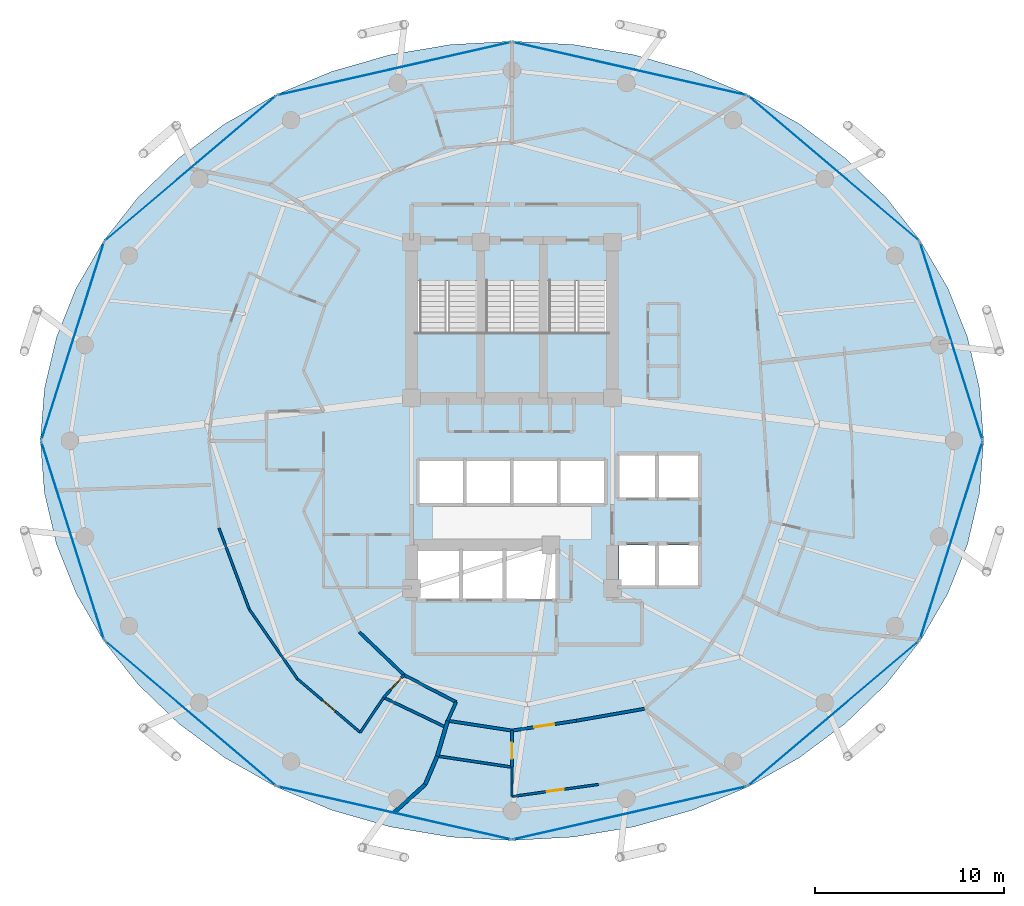
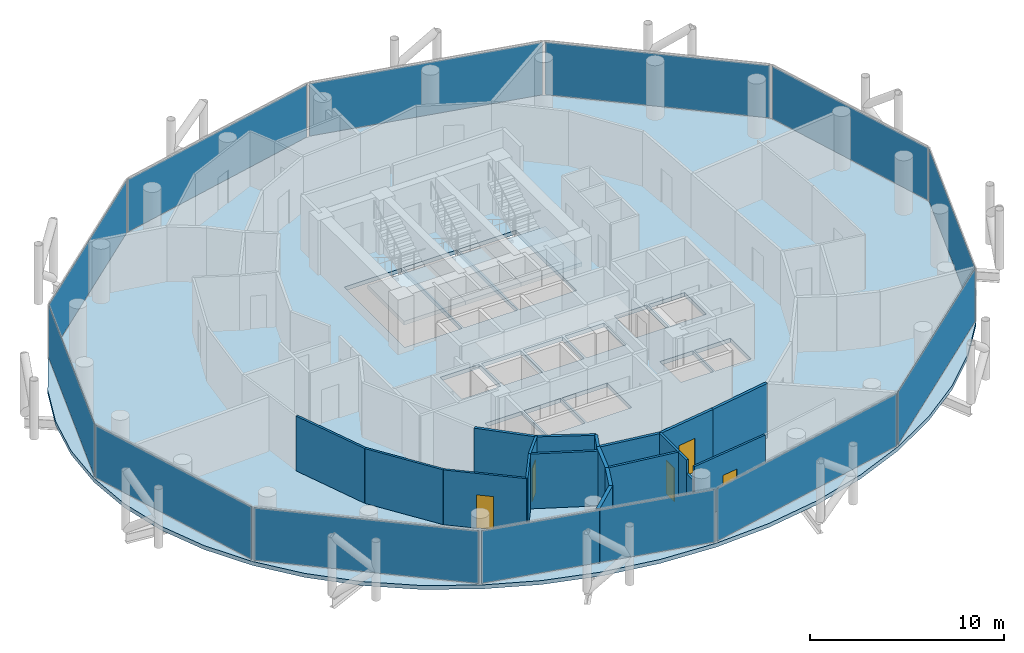
# One storey, part 21 of 26: 20 walls, 12 plates, 5 doors, 4 slabs, 5 openings, 15 elements without a shape of their own.
"""IFC4 building model written with IfcOpenShell, lengths in metres."""

import ifcopenshell
import ifcopenshell.guid

model = None  # the IFC model being written
_history = None  # IfcOwnerHistory: only IFC2X3 demands one
_inside = {}  # id of a spatial element -> (the spatial element, [elements in it])
_under = {}  # id of a project, library or spatial element -> (it, [spatial elements below it])
_declared = {}  # id of a project -> (the project, [libraries it declares])
_typed = {}  # id of a type object -> (the type object, [elements of that type])
_made_of = {}  # id of a material, layer set ... -> (it, [elements and type objects made of it])


def new_model(schema):
    """Start an empty IFC model of exactly this schema.

    Asked for "IFC4X3", IfcOpenShell would pick the latest addendum, in which some entities
    have other attributes; the version numbers below select the first issue.
    IFC2X3 requires an IfcOwnerHistory on every rooted entity: one is made here for all.
    """
    global model, _history
    if schema == "IFC4X3":
        model = ifcopenshell.file(schema_version=(4, 3, 0, 0))
    else:
        model = ifcopenshell.file(schema=schema)
    _inside.clear()
    _under.clear()
    _declared.clear()
    _typed.clear()
    _made_of.clear()
    _history = None
    if model.schema == "IFC2X3":
        org = make("IfcOrganization", Name="unknown")
        user = make(
            "IfcPersonAndOrganization",
            ThePerson=make("IfcPerson", FamilyName="unknown"),
            TheOrganization=org,
        )
        app = make(
            "IfcApplication",
            ApplicationDeveloper=org,
            Version="unknown",
            ApplicationFullName="unknown",
            ApplicationIdentifier="unknown",
        )
        _history = make(
            "IfcOwnerHistory",
            OwningUser=user,
            OwningApplication=app,
            ChangeAction="ADDED",
            CreationDate=0,
        )
    return model


def make(cls, **values):
    """One entity of the class cls with the attributes given. An attribute that is None is left unset."""
    return model.create_entity(
        cls, **{name: value for name, value in values.items() if value is not None}
    )


def rooted(cls, **values):
    """An entity with a GlobalId (a new one), such as an element, a storey or a relation."""
    return make(cls, GlobalId=ifcopenshell.guid.new(), OwnerHistory=_history, **values)


def si_unit(unit_type, name, prefix=None):
    """IfcSIUnit, for example si_unit("LENGTHUNIT", "METRE", prefix="MILLI")."""
    return make("IfcSIUnit", UnitType=unit_type, Prefix=prefix, Name=name)


def assignment(units):
    """IfcUnitAssignment: the units of a project."""
    return None if units is None else make("IfcUnitAssignment", Units=units)


def point(xyz):
    """IfcCartesianPoint."""
    return None if xyz is None else make("IfcCartesianPoint", Coordinates=xyz)


def direction(xyz):
    """IfcDirection."""
    return None if xyz is None else make("IfcDirection", DirectionRatios=xyz)


def frame(location, z_axis=None, x_axis=None):
    """IfcAxis2Placement3D, a coordinate frame: its origin and axes. An axis left out is left unset."""
    return make(
        "IfcAxis2Placement3D",
        Location=point(location),
        Axis=direction(z_axis),
        RefDirection=direction(x_axis),
    )


def frame_2d(location, x_axis=None):
    """IfcAxis2Placement2D, a coordinate frame in the plane: its origin and x axis."""
    return make(
        "IfcAxis2Placement2D", Location=point(location), RefDirection=direction(x_axis)
    )


def origin():
    """The frame at (0, 0, 0) with its axes left unset."""
    return frame((0.0, 0.0, 0.0))


def origin_2d():
    """The frame at (0, 0) in the plane with its x axis left unset."""
    return frame_2d((0.0, 0.0))


def place(relative_to, where):
    """IfcLocalPlacement: puts the frame where relative to a parent placement (None: the world)."""
    return make(
        "IfcLocalPlacement", PlacementRelTo=relative_to, RelativePlacement=where
    )


def context(
    kind, dimensions, precision=None, world=None, true_north=None, identifier=None
):
    """IfcGeometricRepresentationContext, for example the 3D "Model" context."""
    return make(
        "IfcGeometricRepresentationContext",
        ContextIdentifier=identifier,
        ContextType=kind,
        CoordinateSpaceDimension=dimensions,
        Precision=precision,
        WorldCoordinateSystem=world,
        TrueNorth=true_north,
    )


def subcontext(parent, identifier, kind, view, scale=None):
    """IfcGeometricRepresentationSubContext, for example "Body" below "Model"."""
    return make(
        "IfcGeometricRepresentationSubContext",
        ContextIdentifier=identifier,
        ContextType=kind,
        ParentContext=parent,
        TargetScale=scale,
        TargetView=view,
    )


def project(units=None, contexts=None):
    """IfcProject with its units and contexts."""
    return rooted(
        "IfcProject",
        Name="project",
        RepresentationContexts=contexts,
        UnitsInContext=assignment(units),
    )


def spatial(cls, under=None, at=None, **own):
    """A site, building, storey or space (cls), placed at a placement, below another one or the project."""
    s = rooted(cls, ObjectPlacement=at, **own)
    if under is not None:
        _under.setdefault(under.id(), (under, []))[1].append(s)
    return s


def polyline(points):
    """IfcPolyline through the points."""
    return make("IfcPolyline", Points=[point(p) for p in points])


def profile(cls, at=None, kind="AREA", **sizes):
    """A parametric profile (cls). Its sizes go by their IFC names, for example OverallWidth=200.0."""
    return make(cls, ProfileType=kind, Position=at, **sizes)


def rectangle(**sizes):
    """IfcRectangleProfileDef."""
    return profile("IfcRectangleProfileDef", **sizes)


def outline(outer, holes=None, kind="AREA"):
    """IfcArbitraryClosedProfileDef: a profile drawn as a closed curve; with holes, ...WithVoids."""
    if holes is None:
        return make("IfcArbitraryClosedProfileDef", ProfileType=kind, OuterCurve=outer)
    return make(
        "IfcArbitraryProfileDefWithVoids",
        ProfileType=kind,
        OuterCurve=outer,
        InnerCurves=holes,
    )


def extrude(swept, where, along, depth):
    """IfcExtrudedAreaSolid: the profile swept, set in the frame where, extruded along a direction by depth."""
    return make(
        "IfcExtrudedAreaSolid",
        SweptArea=swept,
        Position=where,
        ExtrudedDirection=direction(along),
        Depth=depth,
    )


def shape(context_of_items, identifier, shape_type, items):
    """IfcShapeRepresentation: the items that make up one representation, for example the "Body"."""
    return make(
        "IfcShapeRepresentation",
        ContextOfItems=context_of_items,
        RepresentationIdentifier=identifier,
        RepresentationType=shape_type,
        Items=items,
    )


def material(Name=None, Category=None):
    """IfcMaterial."""
    return make("IfcMaterial", Name=Name, Category=Category)


def layer(
    of_material, thickness, ventilated=None, Name=None, Category=None, Priority=None
):
    """IfcMaterialLayer: one layer of a wall or slab, of a material (None: an air gap)."""
    return make(
        "IfcMaterialLayer",
        Material=of_material,
        LayerThickness=thickness,
        IsVentilated=ventilated,
        Name=Name,
        Category=Category,
        Priority=Priority,
    )


def layer_set(layers, Name=None):
    """IfcMaterialLayerSet."""
    return make("IfcMaterialLayerSet", MaterialLayers=layers, LayerSetName=Name)


def made_of(thing, what):
    """Note that an element or type object is made of a material, layer set ...; save() writes the relation."""
    if what is not None:
        _made_of.setdefault(what.id(), (what, []))[1].append(thing)
    return thing


def type_object(cls, material=None, **own):
    """A type object (cls), such as IfcWallType, which elements share."""
    return made_of(rooted(cls, **own), material)


def element(
    cls,
    number,
    at=None,
    inside=None,
    cuts=None,
    type_object=None,
    material=None,
    context=None,
    identifier="Body",
    shape_type=None,
    held_by="IfcProductDefinitionShape",
    body=None,
    shapes=None,
    **own,
):
    """One element of the class cls, such as IfcWall. Its Tag is "e" and its number.

    at: its placement. inside: the storey or other place that contains it. cuts: it is an
    opening in that element (IfcRelVoidsElement). A single representation is given by context,
    identifier, shape_type and body (its items); several are given by shapes. held_by: the class
    of the entity that holds the representations. save() writes the other relations.
    """
    e = rooted(cls, Tag="e%d" % number, ObjectPlacement=at, **own)
    if body is not None:
        shapes = [shape(context, identifier, shape_type, body)]
    if shapes is not None:
        e.Representation = make(held_by, Representations=shapes)
    if inside is not None:
        _inside.setdefault(inside.id(), (inside, []))[1].append(e)
    if cuts is not None:
        rooted(
            "IfcRelVoidsElement", RelatingBuildingElement=cuts, RelatedOpeningElement=e
        )
    if type_object is not None:
        _typed.setdefault(type_object.id(), (type_object, []))[1].append(e)
    return made_of(e, material)


def fill(opening, filler):
    """IfcRelFillsElement: the door or window that sits in an opening."""
    return rooted(
        "IfcRelFillsElement",
        RelatingOpeningElement=opening,
        RelatedBuildingElement=filler,
    )


def aggregate(whole, parts):
    """IfcRelAggregates: a whole, such as a stair, and the parts it consists of."""
    return rooted("IfcRelAggregates", RelatingObject=whole, RelatedObjects=parts)


def save(model, path):
    """Write the relations noted so far, then the file.

    IfcRelAggregates (storeys below a building ...), IfcRelContainedInSpatialStructure (elements
    in a storey), IfcRelDefinesByType, IfcRelAssociatesMaterial and IfcRelDeclares: one each for
    every whole, place, type object, material and project.
    """
    for whole, parts in _under.values():
        aggregate(whole, parts)
    for where, things in _inside.values():
        rooted(
            "IfcRelContainedInSpatialStructure",
            RelatedElements=things,
            RelatingStructure=where,
        )
    for kind, things in _typed.values():
        rooted("IfcRelDefinesByType", RelatedObjects=things, RelatingType=kind)
    for what, things in _made_of.values():
        rooted("IfcRelAssociatesMaterial", RelatedObjects=things, RelatingMaterial=what)
    for by, libraries in _declared.values():
        rooted("IfcRelDeclares", RelatingContext=by, RelatedDefinitions=libraries)
    model.write(path)


model = new_model("IFC4")

# Units and contexts
model_context = context("Model", 3, precision=1e-05, world=origin(), true_north=direction((0.0, 1.0)))
body_context = subcontext(model_context, "Body", "Model", "MODEL_VIEW")
ifc_project = project(units=[si_unit("LENGTHUNIT", "METRE"), si_unit("AREAUNIT", "SQUARE_METRE"), si_unit("VOLUMEUNIT", "CUBIC_METRE"), si_unit("PLANEANGLEUNIT", "RADIAN"), si_unit("MASSUNIT", "GRAM", prefix="KILO")], contexts=[model_context])

# Site, building, storey
site_placement = place(None, origin())
site = spatial("IfcSite", under=ifc_project, at=site_placement, CompositionType="ELEMENT")
building_placement = place(site_placement, origin())
building = spatial("IfcBuilding", under=site, at=building_placement, Name="Nuhasar Tower", CompositionType="ELEMENT")
storey_placement = place(building_placement, frame((0.0, 0.0, 129.35009765625)))
storey = spatial("IfcBuildingStorey", under=building, at=storey_placement, Name="L30", CompositionType="ELEMENT", Elevation=129.35009765625)

# Curtain wall, plate
ifc_material_1 = material(Name="Aluminium 6063-T6", Category="aluminium")
ifc_layer_1 = layer(ifc_material_1, 0.199951171875)
ifc_layer_set_1 = layer_set([ifc_layer_1], Name="Aluminium 6063-T6")
curtain_wall_type = type_object("IfcCurtainWallType", Name="CW-Z2-HTL", PredefinedType="NOTDEFINED", material=ifc_layer_set_1)
curtain_wall_1_placement = place(storey_placement, origin())
curtain_wall_1 = element("IfcCurtainWall", 1, at=curtain_wall_1_placement, inside=storey, type_object=curtain_wall_type, Name="L30 Unitised Curtain Wall 01", PredefinedType="NOTDEFINED")
ifc_material_2 = material(Name="Glass Double Low-E", Category="glass")
ifc_layer_2 = layer(ifc_material_2, 0.028076171875)
ifc_layer_set_2 = layer_set([ifc_layer_2], Name="Glass Double Low-E")
plate_type = type_object("IfcPlateType", Name="CW-PANEL-GLZ", PredefinedType="CURTAIN_PANEL", material=ifc_layer_set_2)
plate_1_placement = place(storey_placement, frame((62.194580078125, 32.06494140625, 0.06982421875), z_axis=(0.0, 0.0, 1.0), x_axis=(-0.301603667577, 0.953433389233, 0.0)))
plate_1 = element("IfcPlate", 2, at=plate_1_placement, type_object=plate_type, Name="CW-Z2 panel 1.1", PredefinedType="CURTAIN_PANEL", context=body_context, shape_type="SweptSolid", body=[
    extrude(rectangle(XDim=10.904296875, YDim=0.028076171875, at=origin_2d()), origin(), (0.0, 0.0, 1.0), 3.31005859375),
])
aggregate(curtain_wall_1, [plate_1])

curtain_wall_2_placement = place(storey_placement, origin())
curtain_wall_2 = element("IfcCurtainWall", 3, at=curtain_wall_2_placement, inside=storey, type_object=curtain_wall_type, Name="L30 Unitised Curtain Wall 02", PredefinedType="NOTDEFINED")
plate_2_placement = place(storey_placement, frame((55.9794921875, 41.18408203125, 0.06982421875), z_axis=(0.0, 0.0, 1.0), x_axis=(-0.763020370292, 0.646374438324, 0.0)))
plate_2 = element("IfcPlate", 4, at=plate_2_placement, type_object=plate_type, Name="CW-Z2 panel 1.1", PredefinedType="CURTAIN_PANEL", context=body_context, shape_type="SweptSolid", body=[
    extrude(rectangle(XDim=11.784912109375, YDim=0.028076171875, at=origin_2d()), origin(), (0.0, 0.0, 1.0), 3.31005859375),
])
aggregate(curtain_wall_2, [plate_2])

curtain_wall_3_placement = place(storey_placement, origin())
curtain_wall_3 = element("IfcCurtainWall", 5, at=curtain_wall_3_placement, inside=storey, type_object=curtain_wall_type, Name="L30 Unitised Curtain Wall 03", PredefinedType="NOTDEFINED")
plate_3_placement = place(storey_placement, frame((45.215087890625, 46.448974609375, 0.06982421875), z_axis=(0.0, 0.0, 1.0), x_axis=(-0.975183694221, 0.22139729566, 0.0)))
plate_3 = element("IfcPlate", 6, at=plate_3_placement, type_object=plate_type, Name="CW-Z2 panel 1.1", PredefinedType="CURTAIN_PANEL", context=body_context, shape_type="SweptSolid", body=[
    extrude(rectangle(XDim=12.606201171875, YDim=0.028076171875, at=origin_2d()), origin(), (0.0, 0.0, 1.0), 3.31005859375),
])
aggregate(curtain_wall_3, [plate_3])

curtain_wall_4_placement = place(storey_placement, origin())
curtain_wall_4 = element("IfcCurtainWall", 7, at=curtain_wall_4_placement, inside=storey, type_object=curtain_wall_type, Name="L30 Unitised Curtain Wall 04", PredefinedType="NOTDEFINED")
plate_4_placement = place(storey_placement, frame((32.784912109375, 46.448974609375, 0.06982421875), z_axis=(0.0, 0.0, 1.0), x_axis=(-0.975183694221, -0.22139729566, 0.0)))
plate_4 = element("IfcPlate", 8, at=plate_4_placement, type_object=plate_type, Name="CW-Z2 panel 1.1", PredefinedType="CURTAIN_PANEL", context=body_context, shape_type="SweptSolid", body=[
    extrude(rectangle(XDim=12.606201171875, YDim=0.028076171875, at=origin_2d()), origin(), (0.0, 0.0, 1.0), 3.31005859375),
])
aggregate(curtain_wall_4, [plate_4])

curtain_wall_5_placement = place(storey_placement, origin())
curtain_wall_5 = element("IfcCurtainWall", 9, at=curtain_wall_5_placement, inside=storey, type_object=curtain_wall_type, Name="L30 Unitised Curtain Wall 05", PredefinedType="NOTDEFINED")
plate_5_placement = place(storey_placement, frame((22.0205078125, 41.18408203125, 0.06982421875), z_axis=(0.0, 0.0, 1.0), x_axis=(-0.763020370292, -0.646374438324, 0.0)))
plate_5 = element("IfcPlate", 10, at=plate_5_placement, type_object=plate_type, Name="CW-Z2 panel 1.1", PredefinedType="CURTAIN_PANEL", context=body_context, shape_type="SweptSolid", body=[
    extrude(rectangle(XDim=11.784912109375, YDim=0.028076171875, at=origin_2d()), origin(), (0.0, 0.0, 1.0), 3.31005859375),
])
aggregate(curtain_wall_5, [plate_5])

curtain_wall_6_placement = place(storey_placement, origin())
curtain_wall_6 = element("IfcCurtainWall", 11, at=curtain_wall_6_placement, inside=storey, type_object=curtain_wall_type, Name="L30 Unitised Curtain Wall 06", PredefinedType="NOTDEFINED")
plate_6_placement = place(storey_placement, frame((15.805419921875, 32.06494140625, 0.06982421875), z_axis=(0.0, 0.0, 1.0), x_axis=(-0.301603667577, -0.953433389233, 0.0)))
plate_6 = element("IfcPlate", 12, at=plate_6_placement, type_object=plate_type, Name="CW-Z2 panel 1.1", PredefinedType="CURTAIN_PANEL", context=body_context, shape_type="SweptSolid", body=[
    extrude(rectangle(XDim=10.904296875, YDim=0.028076171875, at=origin_2d()), origin(), (0.0, 0.0, 1.0), 3.31005859375),
])
aggregate(curtain_wall_6, [plate_6])

curtain_wall_7_placement = place(storey_placement, origin())
curtain_wall_7 = element("IfcCurtainWall", 13, at=curtain_wall_7_placement, inside=storey, type_object=curtain_wall_type, Name="L30 Unitised Curtain Wall 07", PredefinedType="NOTDEFINED")
plate_7_placement = place(storey_placement, frame((15.805419921875, 21.534912109375, 0.06982421875), z_axis=(0.0, 0.0, 1.0), x_axis=(0.301603667577, -0.953433389233, 0.0)))
plate_7 = element("IfcPlate", 14, at=plate_7_placement, type_object=plate_type, Name="CW-Z2 panel 1.1", PredefinedType="CURTAIN_PANEL", context=body_context, shape_type="SweptSolid", body=[
    extrude(rectangle(XDim=10.904296875, YDim=0.028076171875, at=origin_2d()), origin(), (0.0, 0.0, 1.0), 3.31005859375),
])
aggregate(curtain_wall_7, [plate_7])

curtain_wall_8_placement = place(storey_placement, origin())
curtain_wall_8 = element("IfcCurtainWall", 15, at=curtain_wall_8_placement, inside=storey, type_object=curtain_wall_type, Name="L30 Unitised Curtain Wall 08", PredefinedType="NOTDEFINED")
plate_8_placement = place(storey_placement, frame((22.0205078125, 12.416015625, 0.06982421875), z_axis=(0.0, 0.0, 1.0), x_axis=(0.763020370292, -0.646374438324, 0.0)))
plate_8 = element("IfcPlate", 16, at=plate_8_placement, type_object=plate_type, Name="CW-Z2 panel 1.1", PredefinedType="CURTAIN_PANEL", context=body_context, shape_type="SweptSolid", body=[
    extrude(rectangle(XDim=11.784912109375, YDim=0.028076171875, at=origin_2d()), origin(), (0.0, 0.0, 1.0), 3.31005859375),
])
aggregate(curtain_wall_8, [plate_8])

curtain_wall_9_placement = place(storey_placement, origin())
curtain_wall_9 = element("IfcCurtainWall", 17, at=curtain_wall_9_placement, inside=storey, type_object=curtain_wall_type, Name="L30 Unitised Curtain Wall 09", PredefinedType="NOTDEFINED")
plate_9_placement = place(storey_placement, frame((32.784912109375, 7.15087890625, 0.06982421875), z_axis=(0.0, 0.0, 1.0), x_axis=(0.975183694221, -0.22139729566, 0.0)))
plate_9 = element("IfcPlate", 18, at=plate_9_placement, type_object=plate_type, Name="CW-Z2 panel 1.1", PredefinedType="CURTAIN_PANEL", context=body_context, shape_type="SweptSolid", body=[
    extrude(rectangle(XDim=12.606201171875, YDim=0.028076171875, at=origin_2d()), origin(), (0.0, 0.0, 1.0), 3.31005859375),
])
aggregate(curtain_wall_9, [plate_9])

curtain_wall_10_placement = place(storey_placement, origin())
curtain_wall_10 = element("IfcCurtainWall", 19, at=curtain_wall_10_placement, inside=storey, type_object=curtain_wall_type, Name="L30 Unitised Curtain Wall 10", PredefinedType="NOTDEFINED")
plate_10_placement = place(storey_placement, frame((45.215087890625, 7.15087890625, 0.06982421875), z_axis=(0.0, 0.0, 1.0), x_axis=(0.975183694221, 0.22139729566, 0.0)))
plate_10 = element("IfcPlate", 20, at=plate_10_placement, type_object=plate_type, Name="CW-Z2 panel 1.1", PredefinedType="CURTAIN_PANEL", context=body_context, shape_type="SweptSolid", body=[
    extrude(rectangle(XDim=12.606201171875, YDim=0.028076171875, at=origin_2d()), origin(), (0.0, 0.0, 1.0), 3.31005859375),
])
aggregate(curtain_wall_10, [plate_10])

curtain_wall_11_placement = place(storey_placement, origin())
curtain_wall_11 = element("IfcCurtainWall", 21, at=curtain_wall_11_placement, inside=storey, type_object=curtain_wall_type, Name="L30 Unitised Curtain Wall 11", PredefinedType="NOTDEFINED")
plate_11_placement = place(storey_placement, frame((55.9794921875, 12.416015625, 0.06982421875), z_axis=(0.0, 0.0, 1.0), x_axis=(0.763020370292, 0.646374438324, 0.0)))
plate_11 = element("IfcPlate", 22, at=plate_11_placement, type_object=plate_type, Name="CW-Z2 panel 1.1", PredefinedType="CURTAIN_PANEL", context=body_context, shape_type="SweptSolid", body=[
    extrude(rectangle(XDim=11.784912109375, YDim=0.028076171875, at=origin_2d()), origin(), (0.0, 0.0, 1.0), 3.31005859375),
])
aggregate(curtain_wall_11, [plate_11])

curtain_wall_12_placement = place(storey_placement, origin())
curtain_wall_12 = element("IfcCurtainWall", 23, at=curtain_wall_12_placement, inside=storey, type_object=curtain_wall_type, Name="L30 Unitised Curtain Wall 12", PredefinedType="NOTDEFINED")
plate_12_placement = place(storey_placement, frame((62.194580078125, 21.534912109375, 0.06982421875), z_axis=(0.0, 0.0, 1.0), x_axis=(0.301603667577, 0.953433389233, 0.0)))
plate_12 = element("IfcPlate", 24, at=plate_12_placement, type_object=plate_type, Name="CW-Z2 panel 1.1", PredefinedType="CURTAIN_PANEL", context=body_context, shape_type="SweptSolid", body=[
    extrude(rectangle(XDim=10.904296875, YDim=0.028076171875, at=origin_2d()), origin(), (0.0, 0.0, 1.0), 3.31005859375),
])
aggregate(curtain_wall_12, [plate_12])

# Stair, slab
ifc_material_3 = material(Name="Concrete C45/55", Category="concrete")
stair_type_1 = type_object("IfcStairType", Name="STR-ST-01-2F-22R-1682", PredefinedType="HALF_TURN_STAIR", material=ifc_material_3)
stair_1_placement = place(storey_placement, origin())
stair_1 = element("IfcStair", 25, at=stair_1_placement, inside=storey, type_object=stair_type_1, Name="L30 Exit Stair ST-01", PredefinedType="HALF_TURN_STAIR")
ifc_layer_3 = layer(ifc_material_3, 0.239990234375)
ifc_layer_set_3 = layer_set([ifc_layer_3], Name="Concrete C45/55")
slab_type_1 = type_object("IfcSlabType", Name="SLB-STAIR-LND-240", PredefinedType="LANDING", material=ifc_layer_set_3)
slab_1_placement = place(storey_placement, frame((0.0, 0.0, 1.60986328125)))
slab_1 = element("IfcSlab", 26, at=slab_1_placement, type_object=slab_type_1, Name="ST-01 landing 1", PredefinedType="LANDING", context=body_context, shape_type="SweptSolid", body=[
    extrude(outline(polyline([(33.699951171875, 28.75), (37.35009765625, 28.75), (37.35009765625, 32.52001953125), (33.699951171875, 32.52001953125), (33.699951171875, 28.75)])), origin(), (0.0, 0.0, 1.0), 0.239990234375),
])
aggregate(stair_1, [slab_1])

stair_type_2 = type_object("IfcStairType", Name="STR-ST-03-2F-22R-1682", PredefinedType="HALF_TURN_STAIR", material=ifc_material_3)
stair_2_placement = place(storey_placement, origin())
stair_2 = element("IfcStair", 27, at=stair_2_placement, inside=storey, type_object=stair_type_2, Name="L30 Exit Stair ST-03", PredefinedType="HALF_TURN_STAIR")
slab_2_placement = place(storey_placement, frame((0.0, 0.0, 1.60986328125)))
slab_2 = element("IfcSlab", 28, at=slab_2_placement, type_object=slab_type_1, Name="ST-03 landing 1", PredefinedType="LANDING", context=body_context, shape_type="SweptSolid", body=[
    extrude(outline(polyline([(37.35009765625, 28.75), (40.64990234375, 28.75), (40.64990234375, 32.52001953125), (37.35009765625, 32.52001953125), (37.35009765625, 28.75)])), origin(), (0.0, 0.0, 1.0), 0.239990234375),
])
aggregate(stair_2, [slab_2])

stair_type_3 = type_object("IfcStairType", Name="STR-ST-02-2F-22R-1682", PredefinedType="HALF_TURN_STAIR", material=ifc_material_3)
stair_3_placement = place(storey_placement, origin())
stair_3 = element("IfcStair", 29, at=stair_3_placement, inside=storey, type_object=stair_type_3, Name="L30 Exit Stair ST-02", PredefinedType="HALF_TURN_STAIR")
slab_3_placement = place(storey_placement, frame((0.0, 0.0, 1.60986328125)))
slab_3 = element("IfcSlab", 30, at=slab_3_placement, type_object=slab_type_1, Name="ST-02 landing 1", PredefinedType="LANDING", context=body_context, shape_type="SweptSolid", body=[
    extrude(outline(polyline([(40.64990234375, 28.75), (44.300048828125, 28.75), (44.300048828125, 32.52001953125), (40.64990234375, 32.52001953125), (40.64990234375, 28.75)])), origin(), (0.0, 0.0, 1.0), 0.239990234375),
])
aggregate(stair_3, [slab_3])

# Slab
ifc_layer_4 = layer(ifc_material_3, 0.25)
ifc_layer_set_4 = layer_set([ifc_layer_4], Name="Concrete C45/55")
slab_type_2 = type_object("IfcSlabType", Name="SLB-Z1B-250", PredefinedType="FLOOR", material=ifc_layer_set_4)
slab_4_placement = place(storey_placement, frame((0.0, 0.0, -0.25)))
element("IfcSlab", 31, at=slab_4_placement, inside=storey, type_object=slab_type_2, Name="L30 Structural Slab", PredefinedType="FLOOR", context=body_context, shape_type="SweptSolid", body=[
    extrude(outline(polyline([(63.89990234375, 26.800048828125), (63.68701171875, 29.553955078125), (63.052001953125, 32.260986328125), (62.0048828125, 34.875), (60.56396484375, 37.35009765625), (58.75390625, 39.64501953125), (56.60693359375, 41.719970703125), (54.157958984375, 43.5400390625), (51.449951171875, 45.072998046875), (48.529052734375, 46.2939453125), (45.445068359375, 47.180908203125), (42.25, 47.718994140625), (39.0, 47.89990234375), (35.75, 47.718994140625), (32.554931640625, 47.180908203125), (29.470947265625, 46.2939453125), (26.550048828125, 45.072998046875), (23.842041015625, 43.5400390625), (21.39306640625, 41.719970703125), (19.24609375, 39.64501953125), (17.43603515625, 37.35009765625), (15.9951171875, 34.875), (14.947998046875, 32.260986328125), (14.31298828125, 29.553955078125), (14.10009765625, 26.800048828125), (14.31298828125, 24.0458984375), (14.947998046875, 21.339111328125), (15.9951171875, 18.72509765625), (17.43603515625, 16.25), (19.24609375, 13.955078125), (21.39306640625, 11.8798828125), (23.842041015625, 10.06005859375), (26.550048828125, 8.527099609375), (29.470947265625, 7.305908203125), (32.554931640625, 6.4189453125), (35.75, 5.881103515625), (39.0, 5.699951171875), (42.25, 5.881103515625), (45.445068359375, 6.4189453125), (48.529052734375, 7.305908203125), (51.449951171875, 8.527099609375), (54.157958984375, 10.06005859375), (56.60693359375, 11.8798828125), (58.75390625, 13.955078125), (60.56396484375, 16.25), (62.0048828125, 18.72509765625), (63.052001953125, 21.339111328125), (63.68701171875, 24.0458984375), (63.89990234375, 26.800048828125)]), holes=[polyline([(33.8798828125, 35.25), (37.300048828125, 35.25), (37.300048828125, 29.0), (33.8798828125, 29.0), (33.8798828125, 35.25)]), polyline([(37.39990234375, 35.25), (40.60009765625, 35.25), (40.60009765625, 29.0), (37.39990234375, 29.0), (37.39990234375, 35.25)]), polyline([(40.699951171875, 35.25), (44.1201171875, 35.25), (44.1201171875, 29.0), (40.699951171875, 29.0), (40.699951171875, 35.25)]), polyline([(44.64990234375, 26.050048828125), (46.60009765625, 26.050048828125), (46.60009765625, 23.800048828125), (44.64990234375, 23.800048828125), (44.64990234375, 26.050048828125)]), polyline([(46.699951171875, 26.050048828125), (48.85009765625, 26.050048828125), (48.85009765625, 23.800048828125), (46.699951171875, 23.800048828125), (46.699951171875, 26.050048828125)]), polyline([(44.64990234375, 21.300048828125), (46.60009765625, 21.300048828125), (46.60009765625, 19.14990234375), (44.64990234375, 19.14990234375), (44.64990234375, 21.300048828125)]), polyline([(46.699951171875, 21.300048828125), (48.85009765625, 21.300048828125), (48.85009765625, 19.14990234375), (46.699951171875, 19.14990234375), (46.699951171875, 21.300048828125)]), polyline([(34.10009765625, 25.75), (36.43994140625, 25.75), (36.43994140625, 23.5), (34.10009765625, 23.5), (34.10009765625, 25.75)]), polyline([(36.580078125, 25.75), (38.919921875, 25.75), (38.919921875, 23.5), (36.580078125, 23.5), (36.580078125, 25.75)]), polyline([(39.06005859375, 25.75), (41.39990234375, 25.75), (41.39990234375, 23.5), (39.06005859375, 23.5), (39.06005859375, 25.75)]), polyline([(41.5400390625, 25.75), (43.8798828125, 25.75), (43.8798828125, 23.5), (41.5400390625, 23.5), (41.5400390625, 25.75)]), polyline([(34.050048828125, 21.0), (36.25, 21.0), (36.25, 18.449951171875), (34.050048828125, 18.449951171875), (34.050048828125, 21.0)]), polyline([(36.35009765625, 21.0), (38.550048828125, 21.0), (38.550048828125, 18.449951171875), (36.35009765625, 18.449951171875), (36.35009765625, 21.0)]), polyline([(38.64990234375, 21.0), (41.320068359375, 21.0), (41.320068359375, 18.449951171875), (38.64990234375, 18.449951171875), (38.64990234375, 21.0)])]), origin(), (0.0, 0.0, 1.0), 0.25),
])

# Wall
ifc_material_4 = material(Name="Gypsum Board", Category="gypsum")
ifc_layer_5 = layer(ifc_material_4, 0.159912109375)
ifc_layer_set_5 = layer_set([ifc_layer_5], Name="Gypsum Board")
wall_type_1 = type_object("IfcWallType", Name="WL-CORR-160", PredefinedType="PARTITIONING", material=ifc_layer_set_5)
wall_1_placement = place(storey_placement, frame((35.60400390625, 12.02099609375, 0.0), z_axis=(0.0, 0.0, 1.0), x_axis=(0.988435686542, -0.151640672544, 0.0)))
element("IfcWall", 32, at=wall_1_placement, inside=storey, type_object=wall_type_1, Name="L30 Interior Partition CORR-34", PredefinedType="PARTITIONING", context=body_context, shape_type="SweptSolid", body=[
    extrude(rectangle(XDim=3.435791015625, YDim=0.159912109375, at=frame_2d((1.7177734375, 0.0))), origin(), (0.0, 0.0, 1.0), 3.449951171875),
])

# Wall, opening, door
wall_2_placement = place(storey_placement, frame((42.39599609375, 12.02099609375, 0.0), z_axis=(0.0, 0.0, 1.0), x_axis=(-0.988435686542, -0.151640672544, 0.0)))
wall_2 = element("IfcWall", 33, at=wall_2_placement, inside=storey, type_object=wall_type_1, Name="L30 Interior Partition CORR-36", PredefinedType="PARTITIONING", context=body_context, shape_type="SweptSolid", body=[
    extrude(rectangle(XDim=3.435791015625, YDim=0.159912109375, at=frame_2d((1.7177734375, 0.0))), origin(), (0.0, 0.0, 1.0), 3.449951171875),
])
opening_1_placement = place(wall_2_placement, frame((1.193115234375, 0.0, 0.0)))
opening_1 = element("IfcOpeningElement", 34, at=opening_1_placement, cuts=wall_2, Name="Opening DU-01", PredefinedType="OPENING", context=body_context, shape_type="SweptSolid", body=[
    extrude(rectangle(XDim=1.050048828125, YDim=2.14990234375, at=frame_2d((0.52490234375, 1.074951171875))), frame((0.0, 0.08984375, 0.0), z_axis=(0.0, -1.0, 0.0), x_axis=(1.0, 0.0, 0.0)), (0.0, 0.0, 1.0), 0.179931640625),
])
ifc_material_5 = material(Name="Timber Oak", Category="wood")
door_type_1 = type_object("IfcDoorType", Name="DR-SUITE-FD60-1050", OperationType="NOTDEFINED", PredefinedType="DOOR", material=ifc_material_5)
door_1_placement = place(opening_1_placement, origin())
door_1 = element("IfcDoor", 35, at=door_1_placement, inside=storey, type_object=door_type_1, Name="L30 Red Sea Suite 01 Entrance Door", OperationType="SINGLE_SWING_LEFT", OverallHeight=2.14990234375, OverallWidth=1.050048828125, PredefinedType="DOOR", context=body_context, shape_type="SweptSolid", body=[
    extrude(rectangle(XDim=1.050048828125, YDim=2.14990234375, at=frame_2d((0.52490234375, 1.074951171875))), frame((0.0, 0.02490234375, 0.0), z_axis=(0.0, -1.0, 0.0), x_axis=(1.0, 0.0, 0.0)), (0.0, 0.0, 1.0), 0.050048828125),
])
fill(opening_1, door_1)

# Walls
wall_3_placement = place(storey_placement, frame((42.39599609375, 12.02099609375, 0.0), z_axis=(0.0, 0.0, 1.0), x_axis=(0.984952845055, 0.172823299988, 0.0)))
element("IfcWall", 36, at=wall_3_placement, inside=storey, type_object=wall_type_1, Name="L30 Interior Partition CORR-38", PredefinedType="PARTITIONING", context=body_context, shape_type="SweptSolid", body=[
    extrude(rectangle(XDim=3.6630859375, YDim=0.159912109375, at=frame_2d((1.83154296875, 0.0))), origin(), (0.0, 0.0, 1.0), 3.449951171875),
])
wall_4_placement = place(storey_placement, frame((36.049072265625, 13.007080078125, 0.0), z_axis=(0.0, 0.0, 1.0), x_axis=(-0.411387183407, -0.911460687758, 0.0)))
element("IfcWall", 37, at=wall_4_placement, inside=storey, type_object=wall_type_1, Name="L30 Interior Partition HRAD-34-IN", PredefinedType="PARTITIONING", context=body_context, shape_type="SweptSolid", body=[
    extrude(rectangle(XDim=1.081787109375, YDim=0.159912109375, at=frame_2d((0.541015625, 0.0))), origin(), (0.0, 0.0, 1.0), 3.449951171875),
])
wall_5_placement = place(storey_placement, frame((30.93896484375, 16.702880859375, 0.0), z_axis=(0.0, 0.0, 1.0), x_axis=(0.72090897908, -0.693029756851, 0.0)))
element("IfcWall", 38, at=wall_5_placement, inside=storey, type_object=wall_type_1, Name="L30 Interior Partition HWEST-CORE-S2-30", PredefinedType="PARTITIONING", context=body_context, shape_type="SweptSolid", body=[
    extrude(rectangle(XDim=3.275146484375, YDim=0.159912109375, at=frame_2d((1.6376953125, 0.0))), origin(), (0.0, 0.0, 1.0), 3.449951171875),
])
wall_6_placement = place(storey_placement, frame((33.300048828125, 14.43310546875, 0.0), z_axis=(0.0, 0.0, 1.0), x_axis=(0.887674575788, -0.460471331898, 0.0)))
element("IfcWall", 39, at=wall_6_placement, inside=storey, type_object=wall_type_1, Name="L30 Interior Partition HWEST-CORE-S2-32", PredefinedType="PARTITIONING", context=body_context, shape_type="SweptSolid", body=[
    extrude(rectangle(XDim=3.096923828125, YDim=0.159912109375, at=frame_2d((1.54833984375, 0.0))), origin(), (0.0, 0.0, 1.0), 3.449951171875),
])
ifc_layer_6 = layer(ifc_material_4, 0.125)
ifc_layer_set_6 = layer_set([ifc_layer_6], Name="Gypsum Board")
wall_type_2 = type_object("IfcWallType", Name="WL-PART-125", PredefinedType="PARTITIONING", material=ifc_layer_set_6)
wall_7_placement = place(storey_placement, frame((39.0, 9.570068359375, 0.0), z_axis=(0.0, 0.0, 1.0), x_axis=(0.0, -1.0, 0.0)))
element("IfcWall", 40, at=wall_7_placement, inside=storey, type_object=wall_type_2, Name="L30 Interior Partition HBS-01", PredefinedType="PARTITIONING", context=body_context, shape_type="SweptSolid", body=[
    extrude(rectangle(XDim=0.880126953125, YDim=0.125, at=frame_2d((0.43994140625, 0.0))), origin(), (0.0, 0.0, 1.0), 3.449951171875),
])
wall_8_placement = place(storey_placement, frame((39.0, 8.68994140625, 0.0), z_axis=(0.0, 0.0, 1.0), x_axis=(0.0, -1.0, 0.0)))
element("IfcWall", 41, at=wall_8_placement, inside=storey, type_object=wall_type_2, Name="L30 Interior Partition HBS-01", PredefinedType="PARTITIONING", context=body_context, shape_type="SweptSolid", body=[
    extrude(rectangle(XDim=0.669921875, YDim=0.125, at=frame_2d((0.3349609375, 0.0))), origin(), (0.0, 0.0, 1.0), 2.58984375),
])

# Wall, opening, door
wall_9_placement = place(storey_placement, frame((43.5810546875, 8.659912109375, 0.0), z_axis=(0.0, 0.0, 1.0), x_axis=(-0.990384892578, -0.138339309499, 0.0)))
wall_9 = element("IfcWall", 42, at=wall_9_placement, inside=storey, type_object=wall_type_2, Name="L30 Interior Partition HSAL-01-36", PredefinedType="PARTITIONING", context=body_context, shape_type="SweptSolid", body=[
    extrude(rectangle(XDim=4.62548828125, YDim=0.125, at=frame_2d((2.312744140625, 0.0))), origin(), (0.0, 0.0, 1.0), 3.449951171875),
])
opening_2_placement = place(wall_9_placement, frame((1.863037109375, 0.0, 0.0)))
opening_2 = element("IfcOpeningElement", 43, at=opening_2_placement, cuts=wall_9, Name="Opening DR-01", PredefinedType="OPENING", context=body_context, shape_type="SweptSolid", body=[
    extrude(rectangle(XDim=0.89990234375, YDim=2.10009765625, at=frame_2d((0.449951171875, 1.050048828125))), frame((0.0, 0.072509765625, 0.0), z_axis=(0.0, -1.0, 0.0), x_axis=(1.0, 0.0, 0.0)), (0.0, 0.0, 1.0), 0.14501953125),
])
door_type_2 = type_object("IfcDoorType", Name="DR-ROOM-900", OperationType="NOTDEFINED", PredefinedType="DOOR", material=ifc_material_5)
door_2_placement = place(opening_2_placement, origin())
door_2 = element("IfcDoor", 44, at=door_2_placement, inside=storey, type_object=door_type_2, Name="L30 Red Sea Suite 01 Bedroom Door", OperationType="SINGLE_SWING_LEFT", OverallHeight=2.10009765625, OverallWidth=0.89990234375, PredefinedType="DOOR", context=body_context, shape_type="SweptSolid", body=[
    extrude(rectangle(XDim=0.89990234375, YDim=2.10009765625, at=frame_2d((0.449951171875, 1.050048828125))), frame((0.0, 0.02490234375, 0.0), z_axis=(0.0, -1.0, 0.0), x_axis=(1.0, 0.0, 0.0)), (0.0, 0.0, 1.0), 0.050048828125),
])
fill(opening_2, door_2)

# Walls
wall_10_placement = place(storey_placement, frame((32.22509765625, 13.2470703125, 0.0), z_axis=(0.0, 0.0, 1.0), x_axis=(-0.556297850913, -0.830982972791, 0.0)))
element("IfcWall", 45, at=wall_10_placement, inside=storey, type_object=wall_type_2, Name="L30 Interior Partition HWS2-N", PredefinedType="PARTITIONING", context=body_context, shape_type="SweptSolid", body=[
    extrude(rectangle(XDim=2.22021484375, YDim=0.125, at=frame_2d((1.110107421875, 0.0))), origin(), (0.0, 0.0, 1.0), 3.449951171875),
])
wall_11_placement = place(storey_placement, frame((23.52587890625, 22.197998046875, 0.0), z_axis=(0.0, 0.0, 1.0), x_axis=(0.349603098964, -0.936897899024, 0.0)))
element("IfcWall", 46, at=wall_11_placement, inside=storey, type_object=wall_type_2, Name="L30 Interior Partition HWS2-ARC-26", PredefinedType="PARTITIONING", context=body_context, shape_type="SweptSolid", body=[
    extrude(rectangle(XDim=4.576904296875, YDim=0.125, at=frame_2d((2.28857421875, 0.0))), origin(), (0.0, 0.0, 1.0), 3.449951171875),
])
wall_12_placement = place(storey_placement, frame((25.1259765625, 17.909912109375, 0.0), z_axis=(0.0, 0.0, 1.0), x_axis=(0.568778830708, -0.822490511641, 0.0)))
element("IfcWall", 47, at=wall_12_placement, inside=storey, type_object=wall_type_2, Name="L30 Interior Partition HWS2-ARC-28", PredefinedType="PARTITIONING", context=body_context, shape_type="SweptSolid", body=[
    extrude(rectangle(XDim=4.4765625, YDim=0.125, at=frame_2d((2.23828125, 0.0))), origin(), (0.0, 0.0, 1.0), 3.449951171875),
])

# Wall, opening, door
wall_13_placement = place(storey_placement, frame((27.672119140625, 14.22802734375, 0.0), z_axis=(0.0, 0.0, 1.0), x_axis=(0.76128931679, -0.648412350393, 0.0)))
wall_13 = element("IfcWall", 48, at=wall_13_placement, inside=storey, type_object=wall_type_2, Name="L30 Interior Partition HWS2-ARC-30", PredefinedType="PARTITIONING", context=body_context, shape_type="SweptSolid", body=[
    extrude(rectangle(XDim=4.358154296875, YDim=0.125, at=frame_2d((2.17919921875, 0.0))), origin(), (0.0, 0.0, 1.0), 3.449951171875),
])
opening_3_placement = place(wall_13_placement, frame((1.72900390625, 0.0, 0.0)))
opening_3 = element("IfcOpeningElement", 49, at=opening_3_placement, cuts=wall_13, Name="Opening DR-01", PredefinedType="OPENING", context=body_context, shape_type="SweptSolid", body=[
    extrude(rectangle(XDim=0.89990234375, YDim=2.10009765625, at=frame_2d((0.449951171875, 1.050048828125))), frame((0.0, 0.072509765625, 0.0), z_axis=(0.0, -1.0, 0.0), x_axis=(1.0, 0.0, 0.0)), (0.0, 0.0, 1.0), 0.14501953125),
])
door_3_placement = place(opening_3_placement, origin())
door_3 = element("IfcDoor", 50, at=door_3_placement, inside=storey, type_object=door_type_2, Name="L30 South-West Presidential Suite Bedroom Door", OperationType="SINGLE_SWING_LEFT", OverallHeight=2.10009765625, OverallWidth=0.89990234375, PredefinedType="DOOR", context=body_context, shape_type="SweptSolid", body=[
    extrude(rectangle(XDim=0.89990234375, YDim=2.10009765625, at=frame_2d((0.449951171875, 1.050048828125))), frame((0.0, 0.02490234375, 0.0), z_axis=(0.0, -1.0, 0.0), x_axis=(1.0, 0.0, 0.0)), (0.0, 0.0, 1.0), 0.050048828125),
])
fill(opening_3, door_3)

# Walls
ifc_material_6 = material(Name="Concrete C40/50 precast", Category="concrete")
ifc_layer_7 = layer(ifc_material_6, 0.199951171875)
ifc_layer_set_7 = layer_set([ifc_layer_7], Name="Concrete C40/50 precast")
wall_type_3 = type_object("IfcWallType", Name="WL-UNIT-200", PredefinedType="PARTITIONING", material=ifc_layer_set_7)
wall_14_placement = place(storey_placement, frame((35.60400390625, 12.02099609375, 0.0), z_axis=(0.0, 0.0, 1.0), x_axis=(-0.283485285535, -0.958976586203, 0.0)))
element("IfcWall", 51, at=wall_14_placement, inside=storey, type_object=wall_type_3, Name="L30 Interior Partition HRAD-34-OUT-S1", PredefinedType="PARTITIONING", context=body_context, shape_type="SweptSolid", body=[
    extrude(rectangle(XDim=1.94384765625, YDim=0.199951171875, at=frame_2d((0.971923828125, 0.0))), origin(), (0.0, 0.0, 1.0), 3.449951171875),
])
wall_15_placement = place(storey_placement, frame((35.052978515625, 10.156982421875, 0.0), z_axis=(0.0, 0.0, 1.0), x_axis=(-0.389982878965, -0.920822107746, 0.0)))
element("IfcWall", 52, at=wall_15_placement, inside=storey, type_object=wall_type_3, Name="L30 Interior Partition HRAD-34-OUT-S2", PredefinedType="PARTITIONING", context=body_context, shape_type="SweptSolid", body=[
    extrude(rectangle(XDim=1.625732421875, YDim=0.199951171875, at=frame_2d((0.81298828125, 0.0))), origin(), (0.0, 0.0, 1.0), 3.449951171875),
])
wall_16_placement = place(storey_placement, frame((34.4189453125, 8.659912109375, 0.0), z_axis=(0.0, 0.0, 1.0), x_axis=(-0.740267097712, -0.672312891476, 0.0)))
element("IfcWall", 53, at=wall_16_placement, inside=storey, type_object=wall_type_3, Name="L30 Interior Partition HRAD-34-OUT-S3", PredefinedType="PARTITIONING", context=body_context, shape_type="SweptSolid", body=[
    extrude(rectangle(XDim=2.195068359375, YDim=0.199951171875, at=frame_2d((1.09765625, 0.0))), origin(), (0.0, 0.0, 1.0), 3.449951171875),
])

# Wall, opening, door
ifc_layer_8 = layer(ifc_material_6, 0.139892578125)
ifc_layer_set_8 = layer_set([ifc_layer_8], Name="Concrete C40/50 precast")
wall_type_4 = type_object("IfcWallType", Name="WL-WET-140", PredefinedType="PARTITIONING", material=ifc_layer_set_8)
wall_17_placement = place(storey_placement, frame((39.0, 11.5, 0.0), z_axis=(0.0, 0.0, 1.0), x_axis=(0.0, -1.0, 0.0)))
wall_17 = element("IfcWall", 54, at=wall_17_placement, inside=storey, type_object=wall_type_4, Name="L30 Interior Partition HBW-01", PredefinedType="PARTITIONING", context=body_context, shape_type="SweptSolid", body=[
    extrude(rectangle(XDim=1.929931640625, YDim=0.139892578125, at=frame_2d((0.96484375, 0.0))), origin(), (0.0, 0.0, 1.0), 3.449951171875),
])
opening_4_placement = place(wall_17_placement, frame((0.635986328125, 0.0, 0.0)))
opening_4 = element("IfcOpeningElement", 55, at=opening_4_placement, cuts=wall_17, Name="Opening DB-01", PredefinedType="OPENING", context=body_context, shape_type="SweptSolid", body=[
    extrude(rectangle(XDim=0.85009765625, YDim=2.10009765625, at=frame_2d((0.425048828125, 1.050048828125))), frame((0.0, 0.080078125, 0.0), z_axis=(0.0, -1.0, 0.0), x_axis=(1.0, 0.0, 0.0)), (0.0, 0.0, 1.0), 0.159912109375),
])
door_type_3 = type_object("IfcDoorType", Name="DR-BATH-850", OperationType="NOTDEFINED", PredefinedType="DOOR", material=ifc_material_5)
door_4_placement = place(opening_4_placement, origin())
door_4 = element("IfcDoor", 56, at=door_4_placement, inside=storey, type_object=door_type_3, Name="L30 Red Sea Suite 01 En-Suite Door", OperationType="SINGLE_SWING_RIGHT", OverallHeight=2.10009765625, OverallWidth=0.85009765625, PredefinedType="DOOR", context=body_context, shape_type="SweptSolid", body=[
    extrude(rectangle(XDim=0.85009765625, YDim=2.10009765625, at=frame_2d((0.425048828125, 1.050048828125))), frame((0.0, 0.02490234375, 0.0), z_axis=(0.0, -1.0, 0.0), x_axis=(1.0, 0.0, 0.0)), (0.0, 0.0, 1.0), 0.050048828125),
])
fill(opening_4, door_4)

# Wall
wall_18_placement = place(storey_placement, frame((35.052978515625, 10.156982421875, 0.0), z_axis=(0.0, 0.0, 1.0), x_axis=(0.989124481054, -0.147080797455, 0.0)))
element("IfcWall", 57, at=wall_18_placement, inside=storey, type_object=wall_type_4, Name="L30 Interior Partition HBF-01-34", PredefinedType="PARTITIONING", context=body_context, shape_type="SweptSolid", body=[
    extrude(rectangle(XDim=3.990478515625, YDim=0.139892578125, at=frame_2d((1.9951171875, 0.0))), origin(), (0.0, 0.0, 1.0), 3.449951171875),
])

# Wall, opening, door
wall_19_placement = place(storey_placement, frame((33.300048828125, 14.43310546875, 0.0), z_axis=(0.0, 0.0, 1.0), x_axis=(-0.671556062003, -0.740953747266, 0.0)))
wall_19 = element("IfcWall", 58, at=wall_19_placement, inside=storey, type_object=wall_type_4, Name="L30 Interior Partition HBW2-N", PredefinedType="PARTITIONING", context=body_context, shape_type="SweptSolid", body=[
    extrude(rectangle(XDim=1.6005859375, YDim=0.139892578125, at=frame_2d((0.80029296875, 0.0))), origin(), (0.0, 0.0, 1.0), 3.449951171875),
])
opening_5_placement = place(wall_19_placement, frame((0.199951171875, 0.0, 0.0)))
opening_5 = element("IfcOpeningElement", 59, at=opening_5_placement, cuts=wall_19, Name="Opening DB-01", PredefinedType="OPENING", context=body_context, shape_type="SweptSolid", body=[
    extrude(rectangle(XDim=0.85009765625, YDim=2.10009765625, at=frame_2d((0.425048828125, 1.050048828125))), frame((0.0, 0.080078125, 0.0), z_axis=(0.0, -1.0, 0.0), x_axis=(1.0, 0.0, 0.0)), (0.0, 0.0, 1.0), 0.159912109375),
])
door_5_placement = place(opening_5_placement, origin())
door_5 = element("IfcDoor", 60, at=door_5_placement, inside=storey, type_object=door_type_3, Name="L30 South-West Presidential Suite En-Suite Door", OperationType="SINGLE_SWING_LEFT", OverallHeight=2.10009765625, OverallWidth=0.85009765625, PredefinedType="DOOR", context=body_context, shape_type="SweptSolid", body=[
    extrude(rectangle(XDim=0.85009765625, YDim=2.10009765625, at=frame_2d((0.425048828125, 1.050048828125))), frame((0.0, 0.02490234375, 0.0), z_axis=(0.0, -1.0, 0.0), x_axis=(1.0, 0.0, 0.0)), (0.0, 0.0, 1.0), 0.050048828125),
])
fill(opening_5, door_5)

# Wall
wall_20_placement = place(storey_placement, frame((32.22509765625, 13.2470703125, 0.0), z_axis=(0.0, 0.0, 1.0), x_axis=(0.902016722043, -0.431701092372, 0.0)))
element("IfcWall", 61, at=wall_20_placement, inside=storey, type_object=wall_type_4, Name="L30 Interior Partition HBW2-E", PredefinedType="PARTITIONING", context=body_context, shape_type="SweptSolid", body=[
    extrude(rectangle(XDim=3.622802734375, YDim=0.139892578125, at=frame_2d((1.8115234375, 0.0))), origin(), (0.0, 0.0, 1.0), 3.449951171875),
])

save(model, "model.ifc")
